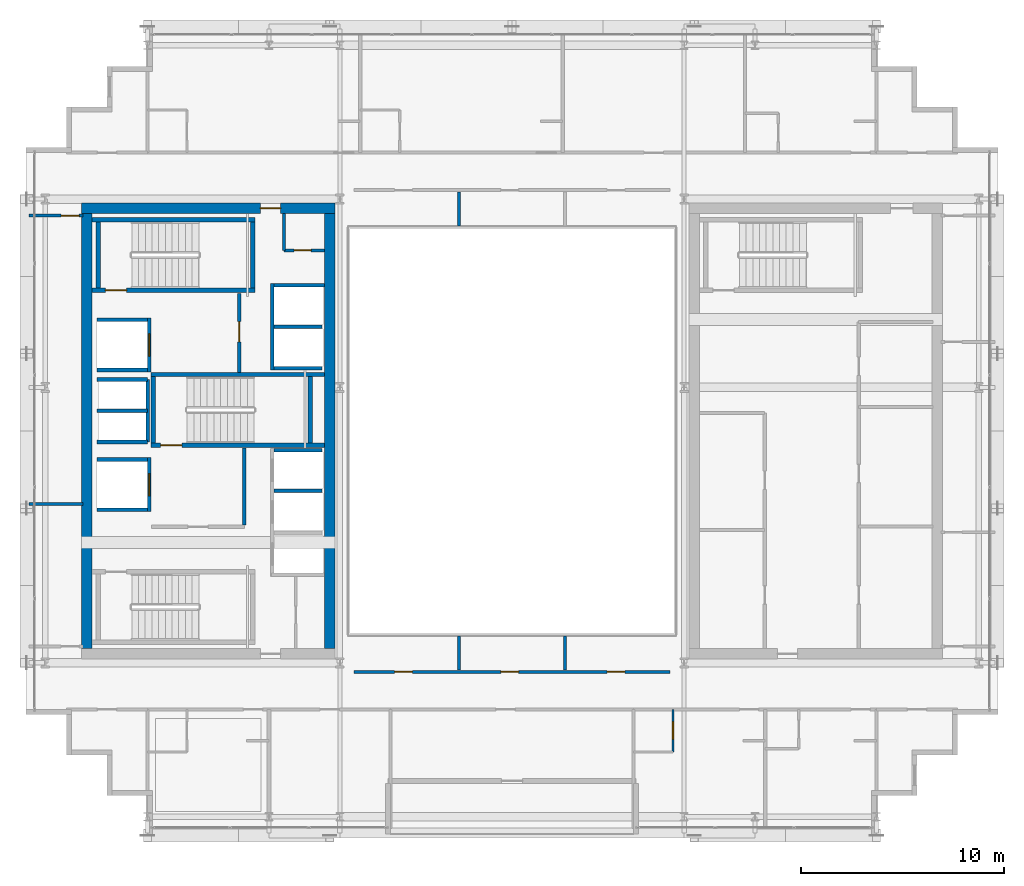
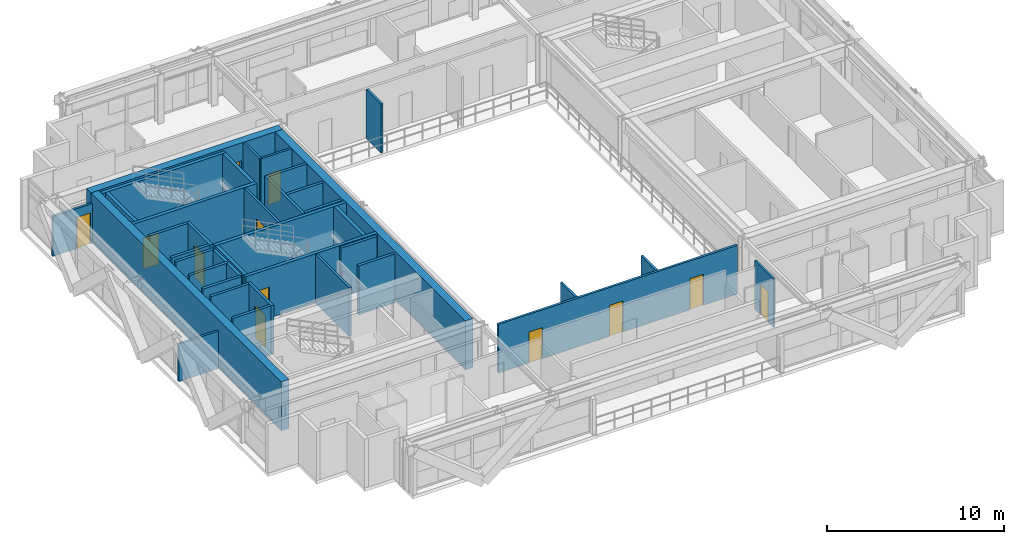
# One storey, part 25 of 32: 38 walls, 12 doors, 12 openings.
"""IFC4 building model written with IfcOpenShell, lengths in metres."""

from ifc_helpers import new_model, si_unit, direction, frame, frame_2d, origin, place, context, subcontext, project, spatial, rectangle, extrude, source, transform, mapped, material, layer, layer_set, type_object, element, fill, save


model = new_model("IFC4")

# Units and contexts
model_context = context("Model", 3, precision=1e-05, world=origin(), true_north=direction((0.0, 1.0)))
body_context = subcontext(model_context, "Body", "Model", "MODEL_VIEW")
ifc_project = project(units=[si_unit("LENGTHUNIT", "METRE"), si_unit("AREAUNIT", "SQUARE_METRE"), si_unit("VOLUMEUNIT", "CUBIC_METRE"), si_unit("PLANEANGLEUNIT", "RADIAN"), si_unit("MASSUNIT", "GRAM", prefix="KILO")], contexts=[model_context])

# Site, building, storey
site_placement = place(None, origin())
site = spatial("IfcSite", under=ifc_project, at=site_placement, CompositionType="ELEMENT")
building_placement = place(site_placement, origin())
building = spatial("IfcBuilding", under=site, at=building_placement, Name="Ocotamira Hotel", CompositionType="ELEMENT")
storey_placement = place(building_placement, frame((0.0, 0.0, 213.60009765625)))
storey = spatial("IfcBuildingStorey", under=building, at=storey_placement, Name="L54", CompositionType="ELEMENT", Elevation=213.60009765625)

# Wall, opening, door
ifc_material_1 = material(Name="Concrete C50/60", Category="concrete")
ifc_layer_1 = layer(ifc_material_1, 0.5)
ifc_layer_set_1 = layer_set([ifc_layer_1], Name="Concrete C50/60")
wall_type_1 = type_object("IfcWallType", Name="WL-CORE-500", PredefinedType="SHEAR", material=ifc_layer_set_1)
wall_1_placement = place(storey_placement, frame((10.75, 37.0, 0.0), z_axis=(0.0, 0.0, 1.0), x_axis=(1.0, 0.0, 0.0)))
wall_1 = element("IfcWall", 1, at=wall_1_placement, inside=storey, type_object=wall_type_1, Name="L54 Shear Core Wall WCORE-N", PredefinedType="SHEAR", context=body_context, shape_type="SweptSolid", body=[
    extrude(rectangle(XDim=12.5, YDim=0.5, at=frame_2d((6.25, 0.0))), origin(), (0.0, 0.0, 1.0), 3.369873046875),
])
opening_1_placement = place(wall_1_placement, frame((8.830078125, 0.0, 0.0)))
opening_1 = element("IfcOpeningElement", 2, at=opening_1_placement, cuts=wall_1, Name="Opening D-FR2", PredefinedType="OPENING", context=body_context, shape_type="SweptSolid", body=[
    extrude(rectangle(XDim=1.0, YDim=2.14990234375, at=frame_2d((0.5, 1.074951171875))), frame((0.0, 0.260009765625, 0.0), z_axis=(0.0, -1.0, 0.0), x_axis=(1.0, 0.0, 0.0)), (0.0, 0.0, 1.0), 0.52001953125),
])
ifc_material_2 = material(Name="Fire-rated acoustic timber-veneer door", Category="wood")
door_type_1 = type_object("IfcDoorType", Name="DR-FIRE-1000", OperationType="NOTDEFINED", PredefinedType="DOOR", material=ifc_material_2)
shared_shape_1 = source(origin(), body_context, "Body", "SweptSolid", [
    extrude(rectangle(XDim=1.0, YDim=2.14990234375, at=frame_2d((0.5, 1.074951171875))), frame((0.0, 0.02490234375, 0.0), z_axis=(0.0, -1.0, 0.0), x_axis=(1.0, 0.0, 0.0)), (0.0, 0.0, 1.0), 0.050048828125),
])
door_1_placement = place(opening_1_placement, origin())
door_1 = element("IfcDoor", 3, at=door_1_placement, inside=storey, type_object=door_type_1, Name="L54 Door ID-L54-WLOB-N-D [ID-L54-WLOB-N-D]", OperationType="SINGLE_SWING_RIGHT", OverallHeight=2.14990234375, OverallWidth=1.0, PredefinedType="DOOR", context=body_context, shape_type="MappedRepresentation", body=[
    mapped(shared_shape_1, transform((0.0, 0.0, 0.0), scale=1.0)),
])
fill(opening_1, door_1)

# Walls
for number, where, z_axis, x_axis, name in (
    (4, (11.0, 15.25, 0.0), (0.0, 0.0, 1.0), (0.0, 1.0, 0.0), "L54 Shear Core Wall WCORE-W"),
    (5, (23.0, 15.25, 0.0), (0.0, 0.0, 1.0), (0.0, 1.0, 0.0), "L54 Shear Core Wall WCORE-E"),
):
    element("IfcWall", number, at=place(storey_placement, frame(where, z_axis=z_axis, x_axis=x_axis)), inside=storey, type_object=wall_type_1, Name=name, PredefinedType="SHEAR", context=body_context, shape_type="SweptSolid", body=[
        extrude(rectangle(XDim=21.5, YDim=0.5, at=frame_2d((10.75, 0.0))), origin(), (0.0, 0.0, 1.0), 3.369873046875),
    ])
ifc_material_3 = material(Name="Acoustic double-layer fire gypsum board partition", Category="gypsum")
ifc_layer_2 = layer(ifc_material_3, 0.159912109375)
ifc_layer_set_2 = layer_set([ifc_layer_2], Name="Acoustic double-layer fire gypsum board partition")
wall_type_2 = type_object("IfcWallType", Name="WL-FIRE-160", PredefinedType="PARTITIONING", material=ifc_layer_set_2)
wall_2_placement = place(storey_placement, frame((18.780029296875, 21.35009765625, 0.0), z_axis=(0.0, 0.0, 1.0), x_axis=(0.0, 1.0, 0.0)))
element("IfcWall", 6, at=wall_2_placement, inside=storey, type_object=wall_type_2, Name="L54 Interior Wall PW-L54-FSAE1-E", PredefinedType="PARTITIONING", context=body_context, shape_type="SweptSolid", body=[
    extrude(rectangle(XDim=3.809814453125, YDim=0.159912109375, at=frame_2d((1.90478515625, 0.0))), origin(), (0.0, 0.0, 1.0), 3.369873046875),
])

# Wall, opening, door
wall_3_placement = place(storey_placement, frame((18.530029296875, 28.89990234375, 0.0), z_axis=(0.0, 0.0, 1.0), x_axis=(0.0, 1.0, 0.0)))
wall_3 = element("IfcWall", 7, at=wall_3_placement, inside=storey, type_object=wall_type_2, Name="L54 Interior Wall PW-L54-FSAE2-E", PredefinedType="PARTITIONING", context=body_context, shape_type="SweptSolid", body=[
    extrude(rectangle(XDim=3.900146484375, YDim=0.159912109375, at=frame_2d((1.9501953125, 0.0))), origin(), (0.0, 0.0, 1.0), 3.369873046875),
])
opening_2_placement = place(wall_3_placement, frame((1.5, 0.0, 0.0)))
opening_2 = element("IfcOpeningElement", 8, at=opening_2_placement, cuts=wall_3, Name="Opening D-FR2", PredefinedType="OPENING", context=body_context, shape_type="SweptSolid", body=[
    extrude(rectangle(XDim=1.0, YDim=2.14990234375, at=frame_2d((0.5, 1.074951171875))), frame((0.0, 0.08984375, 0.0), z_axis=(0.0, -1.0, 0.0), x_axis=(1.0, 0.0, 0.0)), (0.0, 0.0, 1.0), 0.179931640625),
])
door_2_placement = place(opening_2_placement, origin())
door_2 = element("IfcDoor", 9, at=door_2_placement, inside=storey, type_object=door_type_1, Name="L54 Door ID-L54-FSAE2-D [ID-L54-FSAE2-D]", OperationType="SINGLE_SWING_RIGHT", OverallHeight=2.14990234375, OverallWidth=1.0, PredefinedType="DOOR", context=body_context, shape_type="MappedRepresentation", body=[
    mapped(shared_shape_1, transform((0.0, 0.0, 0.0), scale=1.0)),
])
fill(opening_2, door_2)

ifc_material_4 = material(Name="Moisture-resistant en-suite tile and gypsum partition", Category="gypsum")
ifc_layer_3 = layer(ifc_material_4, 0.1201171875)
ifc_layer_set_3 = layer_set([ifc_layer_3], Name="Moisture-resistant en-suite tile and gypsum partition")
wall_type_3 = type_object("IfcWallType", Name="WL-PART-120", PredefinedType="PARTITIONING", material=ifc_layer_set_3)
wall_4_placement = place(storey_placement, frame((39.949951171875, 10.14990234375, 0.0), z_axis=(0.0, 0.0, 1.0), x_axis=(0.0, 1.0, 0.0)))
wall_4 = element("IfcWall", 10, at=wall_4_placement, inside=storey, type_object=wall_type_3, Name="L54 Interior Wall PW-L54-Z3FSE-BAE1", PredefinedType="PARTITIONING", context=body_context, shape_type="SweptSolid", body=[
    extrude(rectangle(XDim=2.10009765625, YDim=0.1201171875, at=frame_2d((1.050048828125, 0.0))), origin(), (0.0, 0.0, 1.0), 3.369873046875),
])
opening_3_placement = place(wall_4_placement, frame((0.6201171875, 0.0, 0.0)))
opening_3 = element("IfcOpeningElement", 11, at=opening_3_placement, cuts=wall_4, Name="Opening D-BA1", PredefinedType="OPENING", context=body_context, shape_type="SweptSolid", body=[
    extrude(rectangle(XDim=0.860107421875, YDim=2.10009765625, at=frame_2d((0.43017578125, 1.050048828125))), frame((0.0, 0.070068359375, 0.0), z_axis=(0.0, -1.0, 0.0), x_axis=(1.0, 0.0, 0.0)), (0.0, 0.0, 1.0), 0.14013671875),
])
ifc_material_5 = material(Name="Moisture-sealed en-suite timber door", Category="wood")
door_type_2 = type_object("IfcDoorType", Name="DR-BATH-860", OperationType="NOTDEFINED", PredefinedType="DOOR", material=ifc_material_5)
shared_shape_2 = source(origin(), body_context, "Body", "SweptSolid", [
    extrude(rectangle(XDim=0.860107421875, YDim=2.10009765625, at=frame_2d((0.43017578125, 1.050048828125))), frame((0.0, 0.02490234375, 0.0), z_axis=(0.0, -1.0, 0.0), x_axis=(1.0, 0.0, 0.0)), (0.0, 0.0, 1.0), 0.050048828125),
])
door_3_placement = place(opening_3_placement, origin())
door_3 = element("IfcDoor", 12, at=door_3_placement, inside=storey, type_object=door_type_2, Name="L54 Door ID-L54-Z3FSE-BAD1 [ID-L54-Z3FSE-BAD1]", OperationType="SINGLE_SWING_RIGHT", OverallHeight=2.10009765625, OverallWidth=0.860107421875, PredefinedType="DOOR", context=body_context, shape_type="MappedRepresentation", body=[
    mapped(shared_shape_2, transform((0.0, 0.0, 0.0), scale=1.0)),
])
fill(opening_3, door_3)

# Wall
ifc_material_6 = material(Name="Acoustic hospitality gypsum board partition", Category="gypsum")
ifc_layer_4 = layer(ifc_material_6, 0.14208984375)
ifc_layer_set_4 = layer_set([ifc_layer_4], Name="Acoustic hospitality gypsum board partition")
wall_type_4 = type_object("IfcWallType", Name="WL-PART-142", PredefinedType="PARTITIONING", material=ifc_layer_set_4)
wall_5_placement = place(storey_placement, frame((20.739990234375, 34.919921875, 0.0), z_axis=(0.0, 0.0, 1.0), x_axis=(0.0, 1.0, 0.0)))
element("IfcWall", 13, at=wall_5_placement, inside=storey, type_object=wall_type_4, Name="L54 Interior Wall PW-L54-WC-NE-W1", PredefinedType="PARTITIONING", context=body_context, shape_type="SweptSolid", body=[
    extrude(rectangle(XDim=1.830078125, YDim=0.14208984375, at=frame_2d((0.9150390625, 0.0))), origin(), (0.0, 0.0, 1.0), 3.369873046875),
])

# Wall, opening, door
wall_6_placement = place(storey_placement, frame((20.739990234375, 34.919921875, 0.0), z_axis=(0.0, 0.0, 1.0), x_axis=(1.0, 0.0, 0.0)))
wall_6 = element("IfcWall", 14, at=wall_6_placement, inside=storey, type_object=wall_type_4, Name="L54 Interior Wall PW-L54-WC-NE-S1", PredefinedType="PARTITIONING", context=body_context, shape_type="SweptSolid", body=[
    extrude(rectangle(XDim=2.010009765625, YDim=0.14208984375, at=frame_2d((1.0048828125, 0.0))), origin(), (0.0, 0.0, 1.0), 3.369873046875),
])
opening_4_placement = place(wall_6_placement, frame((0.5, 0.0, 0.0)))
opening_4 = element("IfcOpeningElement", 15, at=opening_4_placement, cuts=wall_6, Name="Opening D-SV1", PredefinedType="OPENING", context=body_context, shape_type="SweptSolid", body=[
    extrude(rectangle(XDim=0.840087890625, YDim=2.10009765625, at=frame_2d((0.419921875, 1.050048828125))), frame((0.0, 0.0810546875, 0.0), z_axis=(0.0, -1.0, 0.0), x_axis=(1.0, 0.0, 0.0)), (0.0, 0.0, 1.0), 0.162109375),
])
ifc_material_7 = material(Name="Fire-rated painted steel service door", Category="steel")
door_type_3 = type_object("IfcDoorType", Name="DR-SERV-840", OperationType="NOTDEFINED", PredefinedType="DOOR", material=ifc_material_7)
shared_shape_3 = source(origin(), body_context, "Body", "SweptSolid", [
    extrude(rectangle(XDim=0.840087890625, YDim=2.10009765625, at=frame_2d((0.419921875, 1.050048828125))), frame((0.0, 0.02490234375, 0.0), z_axis=(0.0, -1.0, 0.0), x_axis=(1.0, 0.0, 0.0)), (0.0, 0.0, 1.0), 0.050048828125),
])
door_4_placement = place(opening_4_placement, origin())
door_4 = element("IfcDoor", 16, at=door_4_placement, inside=storey, type_object=door_type_3, Name="L54 Door ID-L54-WC-NE-D1 [ID-L54-WC-NE-D1]", OperationType="SINGLE_SWING_LEFT", OverallHeight=2.10009765625, OverallWidth=0.840087890625, PredefinedType="DOOR", context=body_context, shape_type="MappedRepresentation", body=[
    mapped(shared_shape_3, transform((0.0, 0.0, 0.0), scale=1.0)),
])
fill(opening_4, door_4)

# Walls
for number, where, z_axis, x_axis, name in (
    (17, (29.375, 14.199951171875, 0.0), (0.0, 0.0, 1.0), (0.0, 1.0, 0.0), "L54 Interior Wall PW-L54-Z3F-ASDV1"),
    (18, (29.375, 36.1201171875, 0.0), (0.0, 0.0, 1.0), (0.0, 1.0, 0.0), "L54 Interior Wall PW-L54-Z3F-ANDV1"),
    (19, (34.625, 14.199951171875, 0.0), (0.0, 0.0, 1.0), (0.0, 1.0, 0.0), "L54 Interior Wall PW-L54-Z3F-ASDV2"),
):
    element("IfcWall", number, at=place(storey_placement, frame(where, z_axis=z_axis, x_axis=x_axis)), inside=storey, type_object=wall_type_4, Name=name, PredefinedType="PARTITIONING", context=body_context, shape_type="SweptSolid", body=[
        extrude(rectangle(XDim=1.679931640625, YDim=0.14208984375, at=frame_2d((0.83984375, 0.0))), origin(), (0.0, 0.0, 1.0), 3.369873046875),
    ])
wall_7_placement = place(storey_placement, frame((8.159912109375, 22.39990234375, 0.0), z_axis=(0.0, 0.0, 1.0), x_axis=(1.0, 0.0, 0.0)))
element("IfcWall", 20, at=wall_7_placement, inside=storey, type_object=wall_type_4, Name="L54 Interior Wall PW-L54-Z3F-WF-DV1", PredefinedType="PARTITIONING", context=body_context, shape_type="SweptSolid", body=[
    extrude(rectangle(XDim=2.66015625, YDim=0.14208984375, at=frame_2d((1.330078125, 0.0))), origin(), (0.0, 0.0, 1.0), 2.5908203125),
])

# Wall, openings, doors
ifc_layer_5 = layer(ifc_material_6, 0.14990234375)
ifc_layer_set_5 = layer_set([ifc_layer_5], Name="Acoustic hospitality gypsum board partition")
wall_type_5 = type_object("IfcWallType", Name="WL-PART-150", PredefinedType="PARTITIONING", material=ifc_layer_set_5)
wall_8_placement = place(storey_placement, frame((24.199951171875, 14.10009765625, 0.0), z_axis=(0.0, 0.0, 1.0), x_axis=(1.0, 0.0, 0.0)))
wall_8 = element("IfcWall", 21, at=wall_8_placement, inside=storey, type_object=wall_type_5, Name="L54 Interior Wall PW-L54-Z3F-ATRSW", PredefinedType="PARTITIONING", context=body_context, shape_type="SweptSolid", body=[
    extrude(rectangle(XDim=15.60009765625, YDim=0.14990234375, at=frame_2d((7.800048828125, 0.0))), origin(), (0.0, 0.0, 1.0), 3.369873046875),
])
opening_5_placement = place(wall_8_placement, frame((2.0, 0.0, 0.0)))
opening_5 = element("IfcOpeningElement", 22, at=opening_5_placement, cuts=wall_8, Name="Opening D-SV2", PredefinedType="OPENING", context=body_context, shape_type="SweptSolid", body=[
    extrude(rectangle(XDim=0.8798828125, YDim=2.14990234375, at=frame_2d((0.43994140625, 1.074951171875))), frame((0.0, 0.0849609375, 0.0), z_axis=(0.0, -1.0, 0.0), x_axis=(1.0, 0.0, 0.0)), (0.0, 0.0, 1.0), 0.169921875),
])
opening_6_placement = place(wall_8_placement, frame((7.25, 0.0, 0.0)))
opening_6 = element("IfcOpeningElement", 23, at=opening_6_placement, cuts=wall_8, Name="Opening D-SV2", PredefinedType="OPENING", context=body_context, shape_type="SweptSolid", body=[
    extrude(rectangle(XDim=0.8798828125, YDim=2.14990234375, at=frame_2d((0.43994140625, 1.074951171875))), frame((0.0, 0.0849609375, 0.0), z_axis=(0.0, -1.0, 0.0), x_axis=(1.0, 0.0, 0.0)), (0.0, 0.0, 1.0), 0.169921875),
])
opening_7_placement = place(wall_8_placement, frame((12.5, 0.0, 0.0)))
opening_7 = element("IfcOpeningElement", 24, at=opening_7_placement, cuts=wall_8, Name="Opening D-SV2", PredefinedType="OPENING", context=body_context, shape_type="SweptSolid", body=[
    extrude(rectangle(XDim=0.8798828125, YDim=2.14990234375, at=frame_2d((0.43994140625, 1.074951171875))), frame((0.0, 0.0849609375, 0.0), z_axis=(0.0, -1.0, 0.0), x_axis=(1.0, 0.0, 0.0)), (0.0, 0.0, 1.0), 0.169921875),
])
door_type_4 = type_object("IfcDoorType", Name="DR-SERV-880", OperationType="NOTDEFINED", PredefinedType="DOOR", material=ifc_material_7)
shared_shape_4 = source(origin(), body_context, "Body", "SweptSolid", [
    extrude(rectangle(XDim=0.8798828125, YDim=2.14990234375, at=frame_2d((0.43994140625, 1.074951171875))), frame((0.0, 0.02490234375, 0.0), z_axis=(0.0, -1.0, 0.0), x_axis=(1.0, 0.0, 0.0)), (0.0, 0.0, 1.0), 0.050048828125),
])
door_5_placement = place(opening_5_placement, origin())
door_5 = element("IfcDoor", 25, at=door_5_placement, inside=storey, type_object=door_type_4, Name="L54 Door ID-L54-Z3F-ASDD1 [ID-L54-Z3F-ASDD1]", OperationType="SINGLE_SWING_LEFT", OverallHeight=2.14990234375, OverallWidth=0.8798828125, PredefinedType="DOOR", context=body_context, shape_type="MappedRepresentation", body=[
    mapped(shared_shape_4, transform((0.0, 0.0, 0.0), scale=1.0)),
])
fill(opening_5, door_5)
door_6_placement = place(opening_6_placement, origin())
door_6 = element("IfcDoor", 26, at=door_6_placement, inside=storey, type_object=door_type_4, Name="L54 Door ID-L54-Z3F-ASDD2 [ID-L54-Z3F-ASDD2]", OperationType="SINGLE_SWING_LEFT", OverallHeight=2.14990234375, OverallWidth=0.8798828125, PredefinedType="DOOR", context=body_context, shape_type="MappedRepresentation", body=[
    mapped(shared_shape_4, transform((0.0, 0.0, 0.0), scale=1.0)),
])
fill(opening_6, door_6)
door_7_placement = place(opening_7_placement, origin())
door_7 = element("IfcDoor", 27, at=door_7_placement, inside=storey, type_object=door_type_4, Name="L54 Door ID-L54-Z3F-ASDD3 [ID-L54-Z3F-ASDD3]", OperationType="SINGLE_SWING_LEFT", OverallHeight=2.14990234375, OverallWidth=0.8798828125, PredefinedType="DOOR", context=body_context, shape_type="MappedRepresentation", body=[
    mapped(shared_shape_4, transform((0.0, 0.0, 0.0), scale=1.0)),
])
fill(opening_7, door_7)

# Wall, opening, door
wall_9_placement = place(storey_placement, frame((8.159912109375, 36.639892578125, 0.0), z_axis=(0.0, 0.0, 1.0), x_axis=(1.0, 0.0, 0.0)))
wall_9 = element("IfcWall", 28, at=wall_9_placement, inside=storey, type_object=wall_type_5, Name="L54 Interior Wall PW-L54-Z3F-WF-WN", PredefinedType="PARTITIONING", context=body_context, shape_type="SweptSolid", body=[
    extrude(rectangle(XDim=2.66015625, YDim=0.14990234375, at=frame_2d((1.330078125, 0.0))), origin(), (0.0, 0.0, 1.0), 2.7529296875),
])
opening_8_placement = place(wall_9_placement, frame((1.580078125, 0.0, 0.0)))
opening_8 = element("IfcOpeningElement", 29, at=opening_8_placement, cuts=wall_9, Name="Opening D-SV2", PredefinedType="OPENING", context=body_context, shape_type="SweptSolid", body=[
    extrude(rectangle(XDim=0.8798828125, YDim=2.14990234375, at=frame_2d((0.43994140625, 1.074951171875))), frame((0.0, 0.0849609375, 0.0), z_axis=(0.0, -1.0, 0.0), x_axis=(1.0, 0.0, 0.0)), (0.0, 0.0, 1.0), 0.169921875),
])
door_8_placement = place(opening_8_placement, origin())
door_8 = element("IfcDoor", 30, at=door_8_placement, inside=storey, type_object=door_type_4, Name="L54 Door ID-L54-Z3F-WF-DN [ID-L54-Z3F-WF-DN]", OperationType="SINGLE_SWING_RIGHT", OverallHeight=2.14990234375, OverallWidth=0.8798828125, PredefinedType="DOOR", context=body_context, shape_type="MappedRepresentation", body=[
    mapped(shared_shape_4, transform((0.0, 0.0, 0.0), scale=1.0)),
])
fill(opening_8, door_8)

# Walls
ifc_material_8 = material(Name="Fire-rated gypsum shaftliner board assembly", Category="gypsum")
ifc_layer_6 = layer(ifc_material_8, 0.179931640625)
ifc_layer_set_6 = layer_set([ifc_layer_6], Name="Fire-rated gypsum shaftliner board assembly")
wall_type_6 = type_object("IfcWallType", Name="WL-SHAFT-180", PredefinedType="SOLIDWALL", material=ifc_layer_set_6)
for number, where, z_axis, x_axis, name in (
    (31, (20.25, 25.050048828125, 0.0), (0.0, 0.0, 1.0), (1.0, 0.0, 0.0), "L54 Interior Wall PW-L54-LFW-BANK-high-N"),
    (32, (20.25, 23.044921875, 0.0), (0.0, 0.0, 1.0), (1.0, 0.0, 0.0), "L54 Interior Wall PW-L54-LFW-DIV-LF-P8"),
):
    element("IfcWall", number, at=place(storey_placement, frame(where, z_axis=z_axis, x_axis=x_axis)), inside=storey, type_object=wall_type_6, Name=name, PredefinedType="SOLIDWALL", context=body_context, shape_type="SweptSolid", body=[
        extrude(rectangle(XDim=2.360107421875, YDim=0.179931640625, at=frame_2d((1.18017578125, 0.0))), origin(), (0.0, 0.0, 1.0), 3.369873046875),
    ])
wall_10_placement = place(storey_placement, frame((20.159912109375, 29.0, 0.0), z_axis=(0.0, 0.0, 1.0), x_axis=(0.0, 1.0, 0.0)))
element("IfcWall", 33, at=wall_10_placement, inside=storey, type_object=wall_type_6, Name="L54 Interior Wall PW-L54-LFW-BANK-obs-F", PredefinedType="SOLIDWALL", context=body_context, shape_type="SweptSolid", body=[
    extrude(rectangle(XDim=4.2900390625, YDim=0.179931640625, at=frame_2d((2.14501953125, 0.0))), origin(), (0.0, 0.0, 1.0), 3.369873046875),
])
wall_11_placement = place(storey_placement, frame((20.25, 29.090087890625, 0.0), z_axis=(0.0, 0.0, 1.0), x_axis=(1.0, 0.0, 0.0)))
element("IfcWall", 34, at=wall_11_placement, inside=storey, type_object=wall_type_6, Name="L54 Interior Wall PW-L54-LFW-BANK-obs-S", PredefinedType="SOLIDWALL", context=body_context, shape_type="SweptSolid", body=[
    extrude(rectangle(XDim=2.360107421875, YDim=0.179931640625, at=frame_2d((1.18017578125, 0.0))), origin(), (0.0, 0.0, 1.0), 3.369873046875),
])
wall_12_placement = place(storey_placement, frame((20.25, 33.199951171875, 0.0), z_axis=(0.0, 0.0, 1.0), x_axis=(1.0, 0.0, 0.0)))
element("IfcWall", 35, at=wall_12_placement, inside=storey, type_object=wall_type_6, Name="L54 Interior Wall PW-L54-LFW-BANK-obs-N", PredefinedType="SOLIDWALL", context=body_context, shape_type="SweptSolid", body=[
    extrude(rectangle(XDim=2.5, YDim=0.179931640625, at=frame_2d((1.25, 0.0))), origin(), (0.0, 0.0, 1.0), 3.369873046875),
])
wall_13_placement = place(storey_placement, frame((20.25, 31.14501953125, 0.0), z_axis=(0.0, 0.0, 1.0), x_axis=(1.0, 0.0, 0.0)))
element("IfcWall", 36, at=wall_13_placement, inside=storey, type_object=wall_type_6, Name="L54 Interior Wall PW-L54-LFW-DIV-LF-OBS1", PredefinedType="SOLIDWALL", context=body_context, shape_type="SweptSolid", body=[
    extrude(rectangle(XDim=2.360107421875, YDim=0.179931640625, at=frame_2d((1.18017578125, 0.0))), origin(), (0.0, 0.0, 1.0), 3.369873046875),
])
for number, where, z_axis, x_axis, name in (
    (37, (11.5, 22.110107421875, 0.0), (0.0, 0.0, 1.0), (1.0, 0.0, 0.0), "L54 Interior Wall PW-L54-LFW-LF-FSAE1-S"),
    (38, (11.5, 24.590087890625, 0.0), (0.0, 0.0, 1.0), (1.0, 0.0, 0.0), "L54 Interior Wall PW-L54-LFW-LF-FSAE1-N"),
):
    element("IfcWall", number, at=place(storey_placement, frame(where, z_axis=z_axis, x_axis=x_axis)), inside=storey, type_object=wall_type_6, Name=name, PredefinedType="SOLIDWALL", context=body_context, shape_type="SweptSolid", body=[
        extrude(rectangle(XDim=2.5, YDim=0.179931640625, at=frame_2d((1.25, 0.0))), origin(), (0.0, 0.0, 1.0), 3.369873046875),
    ])

# Wall, opening, door
wall_14_placement = place(storey_placement, frame((14.090087890625, 22.02001953125, 0.0), z_axis=(0.0, 0.0, 1.0), x_axis=(0.0, 1.0, 0.0)))
wall_14 = element("IfcWall", 39, at=wall_14_placement, inside=storey, type_object=wall_type_6, Name="L54 Interior Wall PW-L54-LFW-LF-FSAE1-E", PredefinedType="SOLIDWALL", context=body_context, shape_type="SweptSolid", body=[
    extrude(rectangle(XDim=2.659912109375, YDim=0.179931640625, at=frame_2d((1.330078125, 0.0))), origin(), (0.0, 0.0, 1.0), 3.369873046875),
])
opening_9_placement = place(wall_14_placement, frame((0.780029296875, 0.0, 0.0)))
opening_9 = element("IfcOpeningElement", 40, at=opening_9_placement, cuts=wall_14, Name="Opening LD-LF-FSAE1", PredefinedType="OPENING", context=body_context, shape_type="SweptSolid", body=[
    extrude(rectangle(XDim=1.10009765625, YDim=2.199951171875, at=frame_2d((0.550048828125, 1.10009765625))), frame((0.0, 0.10009765625, 0.0), z_axis=(0.0, -1.0, 0.0), x_axis=(1.0, 0.0, 0.0)), (0.0, 0.0, 1.0), 0.199951171875),
])
ifc_material_9 = material(Name="Brushed pale-metal stainless elevator landing door", Category="steel")
door_type_5 = type_object("IfcDoorType", Name="DR-LIFT-1100", OperationType="NOTDEFINED", PredefinedType="DOOR", material=ifc_material_9)
shared_shape_5 = source(origin(), body_context, "Body", "SweptSolid", [
    extrude(rectangle(XDim=1.10009765625, YDim=2.199951171875, at=frame_2d((0.550048828125, 1.10009765625))), frame((0.0, 0.02490234375, 0.0), z_axis=(0.0, -1.0, 0.0), x_axis=(1.0, 0.0, 0.0)), (0.0, 0.0, 1.0), 0.050048828125),
])
door_9_placement = place(opening_9_placement, origin())
door_9 = element("IfcDoor", 41, at=door_9_placement, inside=storey, type_object=door_type_5, Name="L54 Landing Door LD-LF-FSAE1 [ID-L54-LD-LF-FSAE1]", OperationType="DOUBLE_DOOR_SLIDING", OverallHeight=2.199951171875, OverallWidth=1.10009765625, PredefinedType="DOOR", context=body_context, shape_type="MappedRepresentation", body=[
    mapped(shared_shape_5, transform((0.0, 0.0, 0.0), scale=1.0)),
])
fill(opening_9, door_9)

# Walls
for number, where, z_axis, x_axis, name in (
    (42, (11.5, 29.010009765625, 0.0), (0.0, 0.0, 1.0), (1.0, 0.0, 0.0), "L54 Interior Wall PW-L54-LFW-LF-FSAE2-S"),
    (43, (11.5, 31.489990234375, 0.0), (0.0, 0.0, 1.0), (1.0, 0.0, 0.0), "L54 Interior Wall PW-L54-LFW-LF-FSAE2-N"),
):
    element("IfcWall", number, at=place(storey_placement, frame(where, z_axis=z_axis, x_axis=x_axis)), inside=storey, type_object=wall_type_6, Name=name, PredefinedType="SOLIDWALL", context=body_context, shape_type="SweptSolid", body=[
        extrude(rectangle(XDim=2.5, YDim=0.179931640625, at=frame_2d((1.25, 0.0))), origin(), (0.0, 0.0, 1.0), 3.369873046875),
    ])

# Wall, opening, door
wall_15_placement = place(storey_placement, frame((14.090087890625, 28.919921875, 0.0), z_axis=(0.0, 0.0, 1.0), x_axis=(0.0, 1.0, 0.0)))
wall_15 = element("IfcWall", 44, at=wall_15_placement, inside=storey, type_object=wall_type_6, Name="L54 Interior Wall PW-L54-LFW-LF-FSAE2-E", PredefinedType="SOLIDWALL", context=body_context, shape_type="SweptSolid", body=[
    extrude(rectangle(XDim=2.66015625, YDim=0.179931640625, at=frame_2d((1.330078125, 0.0))), origin(), (0.0, 0.0, 1.0), 3.369873046875),
])
opening_10_placement = place(wall_15_placement, frame((0.780029296875, 0.0, 0.0)))
opening_10 = element("IfcOpeningElement", 45, at=opening_10_placement, cuts=wall_15, Name="Opening LD-LF-FSAE2", PredefinedType="OPENING", context=body_context, shape_type="SweptSolid", body=[
    extrude(rectangle(XDim=1.10009765625, YDim=2.199951171875, at=frame_2d((0.550048828125, 1.10009765625))), frame((0.0, 0.10009765625, 0.0), z_axis=(0.0, -1.0, 0.0), x_axis=(1.0, 0.0, 0.0)), (0.0, 0.0, 1.0), 0.199951171875),
])
door_10_placement = place(opening_10_placement, origin())
door_10 = element("IfcDoor", 46, at=door_10_placement, inside=storey, type_object=door_type_5, Name="L54 Landing Door LD-LF-FSAE2 [ID-L54-LD-LF-FSAE2]", OperationType="DOUBLE_DOOR_SLIDING", OverallHeight=2.199951171875, OverallWidth=1.10009765625, PredefinedType="DOOR", context=body_context, shape_type="MappedRepresentation", body=[
    mapped(shared_shape_5, transform((0.0, 0.0, 0.0), scale=1.0)),
])
fill(opening_10, door_10)

# Walls
for number, where, z_axis, x_axis, name in (
    (47, (11.5, 25.4599609375, 0.0), (0.0, 0.0, 1.0), (1.0, 0.0, 0.0), "L54 Interior Wall PW-L54-RSW-S"),
    (48, (11.5, 27.0, 0.0), (0.0, 0.0, 1.0), (1.0, 0.0, 0.0), "L54 Interior Wall PW-L54-RSW-MID"),
    (49, (11.5, 28.5400390625, 0.0), (0.0, 0.0, 1.0), (1.0, 0.0, 0.0), "L54 Interior Wall PW-L54-RSW-N"),
):
    element("IfcWall", number, at=place(storey_placement, frame(where, z_axis=z_axis, x_axis=x_axis)), inside=storey, type_object=wall_type_6, Name=name, PredefinedType="SOLIDWALL", context=body_context, shape_type="SweptSolid", body=[
        extrude(rectangle(XDim=2.510009765625, YDim=0.179931640625, at=frame_2d((1.2548828125, 0.0))), origin(), (0.0, 0.0, 1.0), 3.369873046875),
    ])
wall_16_placement = place(storey_placement, frame((14.010009765625, 25.4599609375, 0.0), z_axis=(0.0, 0.0, 1.0), x_axis=(0.0, 1.0, 0.0)))
element("IfcWall", 50, at=wall_16_placement, inside=storey, type_object=wall_type_6, Name="L54 Interior Wall PW-L54-RSW-E", PredefinedType="SOLIDWALL", context=body_context, shape_type="SweptSolid", body=[
    extrude(rectangle(XDim=3.080078125, YDim=0.179931640625, at=frame_2d((1.5400390625, 0.0))), origin(), (0.0, 0.0, 1.0), 3.369873046875),
])

# Wall, opening, door
ifc_layer_7 = layer(ifc_material_1, 0.219970703125)
ifc_layer_set_7 = layer_set([ifc_layer_7], Name="Concrete C50/60")
wall_type_7 = type_object("IfcWallType", Name="WL-STAIR-220", PredefinedType="SHEAR", material=ifc_layer_set_7)
wall_17_placement = place(storey_placement, frame((11.25, 32.93994140625, 0.0), z_axis=(0.0, 0.0, 1.0), x_axis=(1.0, 0.0, 0.0)))
wall_17 = element("IfcWall", 51, at=wall_17_placement, inside=storey, type_object=wall_type_7, Name="L54 Stair Shaft Structural Wall ST-2-S", PredefinedType="SHEAR", context=body_context, shape_type="SweptSolid", body=[
    extrude(rectangle(XDim=8.06005859375, YDim=0.219970703125, at=frame_2d((4.030029296875, 0.0))), origin(), (0.0, 0.0, 1.0), 3.39990234375),
])
opening_11_placement = place(wall_17_placement, frame((0.669921875, 0.0, 0.0)))
opening_11 = element("IfcOpeningElement", 52, at=opening_11_placement, cuts=wall_17, Name="Opening D-ST2", PredefinedType="OPENING", context=body_context, shape_type="SweptSolid", body=[
    extrude(rectangle(XDim=1.050048828125, YDim=2.14990234375, at=frame_2d((0.52490234375, 1.074951171875))), frame((0.0, 0.1201171875, 0.0), z_axis=(0.0, -1.0, 0.0), x_axis=(1.0, 0.0, 0.0)), (0.0, 0.0, 1.0), 0.239990234375),
])
ifc_material_10 = material(Name="Insulated painted hollow-metal fire exit door", Category="steel")
door_type_6 = type_object("IfcDoorType", Name="DR-STAIR-1050", OperationType="NOTDEFINED", PredefinedType="DOOR", material=ifc_material_10)
shared_shape_6 = source(origin(), body_context, "Body", "SweptSolid", [
    extrude(rectangle(XDim=1.050048828125, YDim=2.14990234375, at=frame_2d((0.52490234375, 1.074951171875))), frame((0.0, 0.02490234375, 0.0), z_axis=(0.0, -1.0, 0.0), x_axis=(1.0, 0.0, 0.0)), (0.0, 0.0, 1.0), 0.050048828125),
])
door_11_placement = place(opening_11_placement, origin())
door_11 = element("IfcDoor", 53, at=door_11_placement, inside=storey, type_object=door_type_6, Name="L54 Door ID-L54-STD-ST-2 [ID-L54-STD-ST-2]", OperationType="SINGLE_SWING_RIGHT", OverallHeight=2.14990234375, OverallWidth=1.050048828125, PredefinedType="DOOR", context=body_context, shape_type="MappedRepresentation", body=[
    mapped(shared_shape_6, transform((0.0, 0.0, 0.0), scale=1.0)),
])
fill(opening_11, door_11)

# Walls
wall_18_placement = place(storey_placement, frame((11.25, 36.43994140625, 0.0), z_axis=(0.0, 0.0, 1.0), x_axis=(1.0, 0.0, 0.0)))
element("IfcWall", 54, at=wall_18_placement, inside=storey, type_object=wall_type_7, Name="L54 Stair Shaft Structural Wall ST-2-N", PredefinedType="SHEAR", context=body_context, shape_type="SweptSolid", body=[
    extrude(rectangle(XDim=8.06005859375, YDim=0.219970703125, at=frame_2d((4.030029296875, 0.0))), origin(), (0.0, 0.0, 1.0), 3.39990234375),
])
for number, where, z_axis, x_axis, name in (
    (55, (11.56005859375, 33.050048828125, 0.0), (0.0, 0.0, 1.0), (0.0, 1.0, 0.0), "L54 Stair Shaft Structural Wall ST-2-W"),
    (56, (19.199951171875, 33.050048828125, 0.0), (0.0, 0.0, 1.0), (0.0, 1.0, 0.0), "L54 Stair Shaft Structural Wall ST-2-E"),
):
    element("IfcWall", number, at=place(storey_placement, frame(where, z_axis=z_axis, x_axis=x_axis)), inside=storey, type_object=wall_type_7, Name=name, PredefinedType="SHEAR", context=body_context, shape_type="SweptSolid", body=[
        extrude(rectangle(XDim=3.280029296875, YDim=0.219970703125, at=frame_2d((1.64013671875, 0.0))), origin(), (0.0, 0.0, 1.0), 3.39990234375),
    ])

# Wall, opening, door
wall_19_placement = place(storey_placement, frame((14.179931640625, 25.2900390625, 0.0), z_axis=(0.0, 0.0, 1.0), x_axis=(1.0, 0.0, 0.0)))
wall_19 = element("IfcWall", 57, at=wall_19_placement, inside=storey, type_object=wall_type_7, Name="L54 Stair Shaft Structural Wall ST-3-S", PredefinedType="SHEAR", context=body_context, shape_type="SweptSolid", body=[
    extrude(rectangle(XDim=8.570068359375, YDim=0.219970703125, at=frame_2d((4.28515625, 0.0))), origin(), (0.0, 0.0, 1.0), 3.39990234375),
])
opening_12_placement = place(wall_19_placement, frame((0.469970703125, 0.0, 0.0)))
opening_12 = element("IfcOpeningElement", 58, at=opening_12_placement, cuts=wall_19, Name="Opening D-ST2", PredefinedType="OPENING", context=body_context, shape_type="SweptSolid", body=[
    extrude(rectangle(XDim=1.050048828125, YDim=2.14990234375, at=frame_2d((0.52490234375, 1.074951171875))), frame((0.0, 0.1201171875, 0.0), z_axis=(0.0, -1.0, 0.0), x_axis=(1.0, 0.0, 0.0)), (0.0, 0.0, 1.0), 0.239990234375),
])
door_12_placement = place(opening_12_placement, origin())
door_12 = element("IfcDoor", 59, at=door_12_placement, inside=storey, type_object=door_type_6, Name="L54 Door ID-L54-STD-ST-3 [ID-L54-STD-ST-3]", OperationType="SINGLE_SWING_LEFT", OverallHeight=2.14990234375, OverallWidth=1.050048828125, PredefinedType="DOOR", context=body_context, shape_type="MappedRepresentation", body=[
    mapped(shared_shape_6, transform((0.0, 0.0, 0.0), scale=1.0)),
])
fill(opening_12, door_12)

# Walls
wall_20_placement = place(storey_placement, frame((14.179931640625, 28.7900390625, 0.0), z_axis=(0.0, 0.0, 1.0), x_axis=(1.0, 0.0, 0.0)))
element("IfcWall", 60, at=wall_20_placement, inside=storey, type_object=wall_type_7, Name="L54 Stair Shaft Structural Wall ST-3-N", PredefinedType="SHEAR", context=body_context, shape_type="SweptSolid", body=[
    extrude(rectangle(XDim=8.570068359375, YDim=0.219970703125, at=frame_2d((4.28515625, 0.0))), origin(), (0.0, 0.0, 1.0), 3.39990234375),
])
for number, where, z_axis, x_axis, name in (
    (61, (14.2900390625, 25.39990234375, 0.0), (0.0, 0.0, 1.0), (0.0, 1.0, 0.0), "L54 Stair Shaft Structural Wall ST-3-W"),
    (62, (22.030029296875, 25.39990234375, 0.0), (0.0, 0.0, 1.0), (0.0, 1.0, 0.0), "L54 Stair Shaft Structural Wall ST-3-E"),
):
    element("IfcWall", number, at=place(storey_placement, frame(where, z_axis=z_axis, x_axis=x_axis)), inside=storey, type_object=wall_type_7, Name=name, PredefinedType="SHEAR", context=body_context, shape_type="SweptSolid", body=[
        extrude(rectangle(XDim=3.280029296875, YDim=0.219970703125, at=frame_2d((1.64013671875, 0.0))), origin(), (0.0, 0.0, 1.0), 3.39990234375),
    ])

save(model, "model.ifc")
